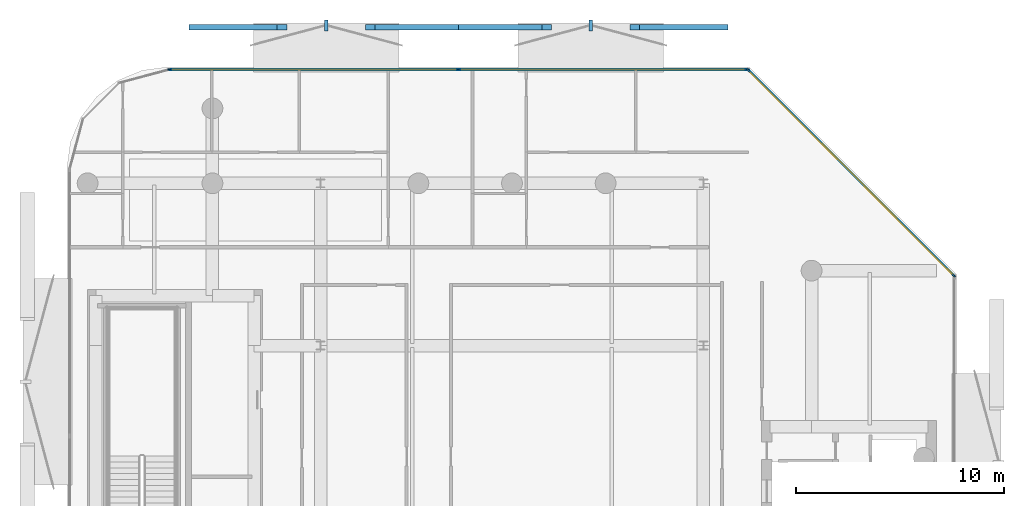
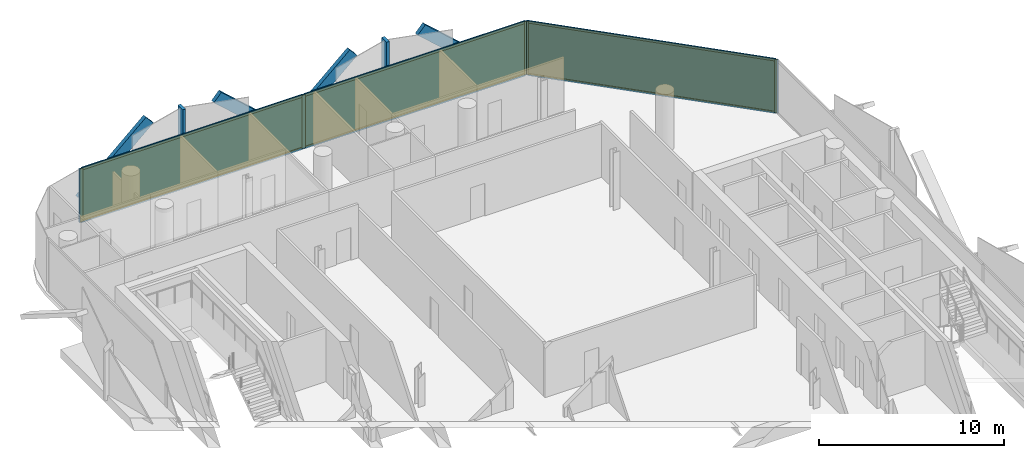
# One storey, part 12 of 16: 17 members, 3 plates, 2 curtain walls.
"""IFC4 building model written with IfcOpenShell, lengths in metres."""

from ifc_helpers import new_model, si_unit, direction, frame, frame_2d, origin, origin_2d, place, context, subcontext, project, spatial, rectangle, extrude, material, layer, layer_set, material_profile, profile_set, type_object, element, aggregate, save


model = new_model("IFC4")

# Units and contexts
model_context = context("Model", 3, precision=1e-05, world=origin(), true_north=direction((0.0, 1.0)))
body_context = subcontext(model_context, "Body", "Model", "MODEL_VIEW")
ifc_project = project(units=[si_unit("LENGTHUNIT", "METRE"), si_unit("AREAUNIT", "SQUARE_METRE"), si_unit("VOLUMEUNIT", "CUBIC_METRE"), si_unit("PLANEANGLEUNIT", "RADIAN"), si_unit("MASSUNIT", "GRAM", prefix="KILO")], contexts=[model_context])

# Member
ifc_material_1 = material(Name="Anodised Bronze Aluminium 6063-T6", Category="aluminium")
ifc_material_profile_1 = material_profile(ifc_material_1, rectangle(XDim=0.260009765625, YDim=0.699951171875, at=origin_2d()))
ifc_profile_set_1 = profile_set([ifc_material_profile_1], Name="Anodised Bronze Aluminium 6063-T6")
member_type_1 = type_object("IfcMemberType", Name="Bronze Diamond Solar-Screen Lattice Rib BDL-700", PredefinedType="MULLION", material=ifc_profile_set_1)
site_placement = place(None, origin())
building_placement = place(site_placement, origin())
storey_placement = place(building_placement, frame((0.0, 0.0, 277.60009765625)))
member_1_placement = place(storey_placement, frame((-15.290771484375, 26.10009765625, -0.130126953125), z_axis=(0.744589286115, 0.0, 0.667522879759), x_axis=(0.0, 1.0, 0.0)))
member_1 = element("IfcMember", 1, at=member_1_placement, type_object=member_type_1, Name="L66 Bronze Diamond Solar Screen Lattice Rib 458A", PredefinedType="MULLION", context=body_context, shape_type="SweptSolid", body=[
    extrude(rectangle(XDim=0.260009765625, YDim=0.699951171875, at=origin_2d()), origin(), (0.0, 0.0, 1.0), 5.69287109375),
])

member_2_placement = place(storey_placement, frame((-2.574462890625, 26.10009765625, -0.130126953125), z_axis=(-0.744589286115, 0.0, 0.667522879759), x_axis=(0.0, -1.0, 0.0)))
member_2 = element("IfcMember", 2, at=member_2_placement, type_object=member_type_1, Name="L66 Bronze Diamond Solar Screen Lattice Rib 458B", PredefinedType="MULLION", context=body_context, shape_type="SweptSolid", body=[
    extrude(rectangle(XDim=0.260009765625, YDim=0.699951171875, at=origin_2d()), origin(), (0.0, 0.0, 1.0), 5.69287109375),
])

member_3_placement = place(storey_placement, frame((-2.574462890625, 26.10009765625, -0.130126953125), z_axis=(0.744589286115, 0.0, 0.667522879759), x_axis=(0.0, 1.0, 0.0)))
member_3 = element("IfcMember", 3, at=member_3_placement, type_object=member_type_1, Name="L66 Bronze Diamond Solar Screen Lattice Rib 459A", PredefinedType="MULLION", context=body_context, shape_type="SweptSolid", body=[
    extrude(rectangle(XDim=0.260009765625, YDim=0.699951171875, at=origin_2d()), origin(), (0.0, 0.0, 1.0), 5.69287109375),
])

member_4_placement = place(storey_placement, frame((10.14208984375, 26.10009765625, -0.130126953125), z_axis=(-0.744589286115, 0.0, 0.667522879759), x_axis=(0.0, -1.0, 0.0)))
member_4 = element("IfcMember", 4, at=member_4_placement, type_object=member_type_1, Name="L66 Bronze Diamond Solar Screen Lattice Rib 459B", PredefinedType="MULLION", context=body_context, shape_type="SweptSolid", body=[
    extrude(rectangle(XDim=0.260009765625, YDim=0.699951171875, at=origin_2d()), origin(), (0.0, 0.0, 1.0), 5.69287109375),
])

ifc_material_2 = material(Name="Anodised Bronze Aluminium 6063-T6", Category="aluminium")
ifc_material_profile_2 = material_profile(ifc_material_2, rectangle(XDim=0.179931640625, YDim=0.5400390625, at=origin_2d()))
ifc_profile_set_2 = profile_set([ifc_material_profile_2], Name="Anodised Bronze Aluminium 6063-T6")
member_type_2 = type_object("IfcMemberType", Name="Bronze Solar-Screen Vertical Fold Fin BSF-540", PredefinedType="MULLION", material=ifc_profile_set_2)
member_5_placement = place(storey_placement, frame((-8.9326171875, 26.179931640625, -0.130126953125), z_axis=(0.0, 0.0, 1.0), x_axis=(1.0, 0.0, 0.0)))
member_5 = element("IfcMember", 5, at=member_5_placement, type_object=member_type_2, Name="L66 Bronze Solar Screen Vertical Fin 458", PredefinedType="MULLION", context=body_context, shape_type="SweptSolid", body=[
    extrude(rectangle(XDim=0.179931640625, YDim=0.5400390625, at=origin_2d()), origin(), (0.0, 0.0, 1.0), 3.800048828125),
])

member_6_placement = place(storey_placement, frame((3.78369140625, 26.179931640625, -0.130126953125), z_axis=(0.0, 0.0, 1.0), x_axis=(1.0, 0.0, 0.0)))
member_6 = element("IfcMember", 6, at=member_6_placement, type_object=member_type_2, Name="L66 Bronze Solar Screen Vertical Fin 459", PredefinedType="MULLION", context=body_context, shape_type="SweptSolid", body=[
    extrude(rectangle(XDim=0.179931640625, YDim=0.5400390625, at=origin_2d()), origin(), (0.0, 0.0, 1.0), 3.800048828125),
])

ifc_material_3 = material(Name="Anodised Bronze Aluminium 6063-T6", Category="aluminium")
ifc_material_profile_3 = material_profile(ifc_material_3, rectangle(XDim=0.074951171875, YDim=0.2099609375, at=origin_2d()))
ifc_profile_set_3 = profile_set([ifc_material_profile_3], Name="Anodised Bronze Aluminium 6063-T6")
member_type_3 = type_object("IfcMemberType", Name="CW-CRN Mullion 75x210", PredefinedType="MULLION", material=ifc_profile_set_3)
member_7_placement = place(storey_placement, frame((-16.453369140625, 24.06005859375, 0.0), z_axis=(0.0, 0.0, 1.0), x_axis=(0.0, 1.0, 0.0)))
member_7 = element("IfcMember", 7, at=member_7_placement, type_object=member_type_3, Name="CW-CRN mullion 1", PredefinedType="MULLION", context=body_context, shape_type="SweptSolid", body=[
    extrude(rectangle(XDim=0.074951171875, YDim=0.2099609375, at=origin_2d()), origin(), (0.0, 0.0, 1.0), 3.539794921875),
])

member_8_placement = place(storey_placement, frame((-2.574462890625, 24.06005859375, 0.0), z_axis=(0.0, 0.0, 1.0), x_axis=(0.0, 1.0, 0.0)))
member_8 = element("IfcMember", 8, at=member_8_placement, type_object=member_type_3, Name="CW-CRN mullion 2", PredefinedType="MULLION", context=body_context, shape_type="SweptSolid", body=[
    extrude(rectangle(XDim=0.074951171875, YDim=0.2099609375, at=origin_2d()), origin(), (0.0, 0.0, 1.0), 3.539794921875),
])

member_9_placement = place(storey_placement, frame((11.304443359375, 24.06005859375, 0.0), z_axis=(0.0, 0.0, 1.0), x_axis=(0.0, 1.0, 0.0)))
member_9 = element("IfcMember", 9, at=member_9_placement, type_object=member_type_3, Name="CW-CRN mullion 3", PredefinedType="MULLION", context=body_context, shape_type="SweptSolid", body=[
    extrude(rectangle(XDim=0.074951171875, YDim=0.2099609375, at=origin_2d()), origin(), (0.0, 0.0, 1.0), 3.539794921875),
])

ifc_material_4 = material(Name="Anodised Bronze Aluminium 6063-T6", Category="aluminium")
ifc_material_profile_4 = material_profile(ifc_material_4, rectangle(XDim=0.074951171875, YDim=0.1650390625, at=origin_2d()))
ifc_profile_set_4 = profile_set([ifc_material_profile_4], Name="Anodised Bronze Aluminium 6063-T6")
member_type_4 = type_object("IfcMemberType", Name="CW-CRN Transom 75x165", PredefinedType="USERDEFINED", material=ifc_profile_set_4)
member_10_placement = place(storey_placement, frame((-16.415771484375, 24.06005859375, 0.037353515625), z_axis=(1.0, 0.0, 0.0), x_axis=(0.0, 1.0, 0.0)))
member_10 = element("IfcMember", 10, at=member_10_placement, type_object=member_type_4, Name="CW-CRN transom 1.1", ObjectType="TRANSOM", PredefinedType="USERDEFINED", context=body_context, shape_type="SweptSolid", body=[
    extrude(rectangle(XDim=0.074951171875, YDim=0.1650390625, at=origin_2d()), origin(), (0.0, 0.0, 1.0), 13.803955078125),
])

member_11_placement = place(storey_placement, frame((-16.415771484375, 24.06005859375, 3.50244140625), z_axis=(1.0, 0.0, 0.0), x_axis=(0.0, 1.0, 0.0)))
member_11 = element("IfcMember", 11, at=member_11_placement, type_object=member_type_4, Name="CW-CRN transom 1.2", ObjectType="TRANSOM", PredefinedType="USERDEFINED", context=body_context, shape_type="SweptSolid", body=[
    extrude(rectangle(XDim=0.074951171875, YDim=0.1650390625, at=origin_2d()), origin(), (0.0, 0.0, 1.0), 13.803955078125),
])

member_12_placement = place(storey_placement, frame((-2.536865234375, 24.06005859375, 0.037353515625), z_axis=(1.0, 0.0, 0.0), x_axis=(0.0, 1.0, 0.0)))
member_12 = element("IfcMember", 12, at=member_12_placement, type_object=member_type_4, Name="CW-CRN transom 2.1", ObjectType="TRANSOM", PredefinedType="USERDEFINED", context=body_context, shape_type="SweptSolid", body=[
    extrude(rectangle(XDim=0.074951171875, YDim=0.1650390625, at=origin_2d()), origin(), (0.0, 0.0, 1.0), 13.803955078125),
])

member_13_placement = place(storey_placement, frame((-2.536865234375, 24.06005859375, 3.50244140625), z_axis=(1.0, 0.0, 0.0), x_axis=(0.0, 1.0, 0.0)))
member_13 = element("IfcMember", 13, at=member_13_placement, type_object=member_type_4, Name="CW-CRN transom 2.2", ObjectType="TRANSOM", PredefinedType="USERDEFINED", context=body_context, shape_type="SweptSolid", body=[
    extrude(rectangle(XDim=0.074951171875, YDim=0.1650390625, at=origin_2d()), origin(), (0.0, 0.0, 1.0), 13.803955078125),
])

ifc_material_5 = material(Name="Anodised Bronze Aluminium 6063-T6", Category="aluminium")
ifc_material_profile_5 = material_profile(ifc_material_5, rectangle(XDim=0.070068359375, YDim=0.18994140625, at=origin_2d()))
ifc_profile_set_5 = profile_set([ifc_material_profile_5], Name="Anodised Bronze Aluminium 6063-T6")
member_type_5 = type_object("IfcMemberType", Name="CW-SLC Mullion 70x190", PredefinedType="MULLION", material=ifc_profile_set_5)
member_14_placement = place(storey_placement, frame((11.36669921875, 24.03515625, 0.0), z_axis=(0.0, 0.0, 1.0), x_axis=(0.707106781187, 0.707106781187, 0.0)))
member_14 = element("IfcMember", 14, at=member_14_placement, type_object=member_type_5, Name="CW-SLC mullion 1", PredefinedType="MULLION", context=body_context, shape_type="SweptSolid", body=[
    extrude(rectangle(XDim=0.070068359375, YDim=0.18994140625, at=origin_2d()), origin(), (0.0, 0.0, 1.0), 3.539794921875),
])

member_15_placement = place(storey_placement, frame((21.2353515625, 14.166748046875, 0.0), z_axis=(0.0, 0.0, 1.0), x_axis=(0.707106781187, 0.707106781187, 0.0)))
member_15 = element("IfcMember", 15, at=member_15_placement, type_object=member_type_5, Name="CW-SLC mullion 2", PredefinedType="MULLION", context=body_context, shape_type="SweptSolid", body=[
    extrude(rectangle(XDim=0.070068359375, YDim=0.18994140625, at=origin_2d()), origin(), (0.0, 0.0, 1.0), 3.539794921875),
])

ifc_material_6 = material(Name="Anodised Bronze Aluminium 6063-T6", Category="aluminium")
ifc_material_profile_6 = material_profile(ifc_material_6, rectangle(XDim=0.070068359375, YDim=0.14990234375, at=origin_2d()))
ifc_profile_set_6 = profile_set([ifc_material_profile_6], Name="Anodised Bronze Aluminium 6063-T6")
member_type_6 = type_object("IfcMemberType", Name="CW-SLC Transom 70x150", PredefinedType="USERDEFINED", material=ifc_profile_set_6)
member_16_placement = place(storey_placement, frame((11.3916015625, 24.010498046875, 0.034912109375), z_axis=(0.707097990317, -0.707115571947, 0.0), x_axis=(0.707115571947, 0.707097990317, 0.0)))
member_16 = element("IfcMember", 16, at=member_16_placement, type_object=member_type_6, Name="CW-SLC transom 1.1", ObjectType="TRANSOM", PredefinedType="USERDEFINED", context=body_context, shape_type="SweptSolid", body=[
    extrude(rectangle(XDim=0.070068359375, YDim=0.14990234375, at=origin_2d()), origin(), (0.0, 0.0, 1.0), 13.88623046875),
])

member_17_placement = place(storey_placement, frame((11.3916015625, 24.010498046875, 3.5048828125), z_axis=(0.707097990317, -0.707115571947, 0.0), x_axis=(0.707115571947, 0.707097990317, 0.0)))
member_17 = element("IfcMember", 17, at=member_17_placement, type_object=member_type_6, Name="CW-SLC transom 1.2", ObjectType="TRANSOM", PredefinedType="USERDEFINED", context=body_context, shape_type="SweptSolid", body=[
    extrude(rectangle(XDim=0.070068359375, YDim=0.14990234375, at=origin_2d()), origin(), (0.0, 0.0, 1.0), 13.88623046875),
])

# Plate
ifc_material_7 = material(Name="Low-E Solar Control Laminated Glass", Category="glass")
ifc_layer_1 = layer(ifc_material_7, 0.035888671875, Name="Low-E Solar Control Laminated Glass")
ifc_layer_set_1 = layer_set([ifc_layer_1], Name="Low-E Solar Control Laminated Glass")
plate_type_1 = type_object("IfcPlateType", Name="CW-CRN Low-E Double Glazed Panel 36mm", PredefinedType="CURTAIN_PANEL", material=ifc_layer_set_1)
plate_1_placement = place(storey_placement, frame((-9.513916015625, 24.06005859375, 0.0751953125), z_axis=(0.0, 0.0, 1.0), x_axis=(1.0, 0.0, 0.0)))
plate_1 = element("IfcPlate", 18, at=plate_1_placement, type_object=plate_type_1, Name="CW-CRN panel 1.1", PredefinedType="CURTAIN_PANEL", context=body_context, shape_type="SweptSolid", body=[
    extrude(rectangle(XDim=13.803955078125, YDim=0.035888671875, at=origin_2d()), origin(), (0.0, 0.0, 1.0), 3.389892578125),
])

plate_2_placement = place(storey_placement, frame((4.364990234375, 24.06005859375, 0.0751953125), z_axis=(0.0, 0.0, 1.0), x_axis=(1.0, 0.0, 0.0)))
plate_2 = element("IfcPlate", 19, at=plate_2_placement, type_object=plate_type_1, Name="CW-CRN panel 2.1", PredefinedType="CURTAIN_PANEL", context=body_context, shape_type="SweptSolid", body=[
    extrude(rectangle(XDim=13.803955078125, YDim=0.035888671875, at=origin_2d()), origin(), (0.0, 0.0, 1.0), 3.389892578125),
])

ifc_material_8 = material(Name="Low-E Solar Control Laminated Glass", Category="glass")
ifc_layer_2 = layer(ifc_material_8, 0.033935546875, Name="Low-E Solar Control Laminated Glass")
ifc_layer_set_2 = layer_set([ifc_layer_2], Name="Low-E Solar Control Laminated Glass")
plate_type_2 = type_object("IfcPlateType", Name="CW-SLC Low-E Double Glazed Panel 34mm", PredefinedType="CURTAIN_PANEL", material=ifc_layer_set_2)
plate_3_placement = place(storey_placement, frame((16.301025390625, 19.10107421875, 0.070068359375), z_axis=(0.0, 0.0, 1.0), x_axis=(0.707106781187, -0.707106781187, 0.0)))
plate_3 = element("IfcPlate", 20, at=plate_3_placement, type_object=plate_type_2, Name="CW-SLC panel 1.1", PredefinedType="CURTAIN_PANEL", context=body_context, shape_type="SweptSolid", body=[
    extrude(rectangle(XDim=13.88623046875, YDim=0.033935546875, at=origin_2d()), origin(), (0.0, 0.0, 1.0), 3.39990234375),
])

# Site, building, storey
site = spatial("IfcSite", under=ifc_project, at=site_placement, CompositionType="ELEMENT")
building = spatial("IfcBuilding", under=site, at=building_placement, Name="Khairoan Windgate Tower", CompositionType="ELEMENT")
storey = spatial("IfcBuildingStorey", under=building, at=storey_placement, Name="L66", CompositionType="ELEMENT", Elevation=277.60009765625)

# Curtain wall
ifc_material_9 = material(Name="Anodised Bronze Aluminium 6063-T6", Category="aluminium")
ifc_layer_3 = layer(ifc_material_9, 0.2099609375, Name="Anodised Bronze Aluminium 6063-T6")
ifc_layer_set_3 = layer_set([ifc_layer_3], Name="Anodised Bronze Aluminium 6063-T6")
curtain_wall_type_1 = type_object("IfcCurtainWallType", Name="Crown Observation and Vitrine Curtain Wall CW-CRN", PredefinedType="NOTDEFINED", material=ifc_layer_set_3)
curtain_wall_1_placement = place(storey_placement, frame((-16.49072265625, 24.06005859375, 0.0), z_axis=(0.0, 0.0, 1.0), x_axis=(1.0, 0.0, 0.0)))
curtain_wall_1 = element("IfcCurtainWall", 21, at=curtain_wall_1_placement, inside=storey, type_object=curtain_wall_type_1, Name="L66 Unitised Curtain Wall 7", PredefinedType="NOTDEFINED", context=body_context, shape_type="SweptSolid", body=[
    extrude(rectangle(XDim=27.832763671875, YDim=0.010009765625, at=frame_2d((13.91650390625, 0.0))), origin(), (0.0, 0.0, 1.0), 3.539794921875),
])

aggregate(curtain_wall_1, [member_7, member_8, member_9, member_10, member_11, plate_1, member_12, member_13, plate_2, member_1, member_2, member_5, member_3, member_4, member_6])

ifc_material_10 = material(Name="Anodised Bronze Aluminium 6063-T6", Category="aluminium")
ifc_layer_4 = layer(ifc_material_10, 0.18994140625, Name="Anodised Bronze Aluminium 6063-T6")
ifc_layer_set_4 = layer_set([ifc_layer_4], Name="Anodised Bronze Aluminium 6063-T6")
curtain_wall_type_2 = type_object("IfcCurtainWallType", Name="Diagonal Corner-Slice Facet Curtain Wall CW-SLC", PredefinedType="NOTDEFINED", material=ifc_layer_set_4)
curtain_wall_2_placement = place(storey_placement, frame((11.342041015625, 24.06005859375, 0.0), z_axis=(0.0, 0.0, 1.0), x_axis=(0.707106781187, -0.707106781187, 0.0)))
curtain_wall_2 = element("IfcCurtainWall", 22, at=curtain_wall_2_placement, inside=storey, type_object=curtain_wall_type_2, Name="L66 Crystal Slice Curtain Wall 8", PredefinedType="NOTDEFINED", context=body_context, shape_type="SweptSolid", body=[
    extrude(rectangle(XDim=14.026123046875, YDim=0.010009765625, at=frame_2d((7.01318359375, 0.0))), origin(), (0.0, 0.0, 1.0), 3.539794921875),
])

aggregate(curtain_wall_2, [member_14, member_15, member_16, member_17, plate_3])

save(model, "model.ifc")
